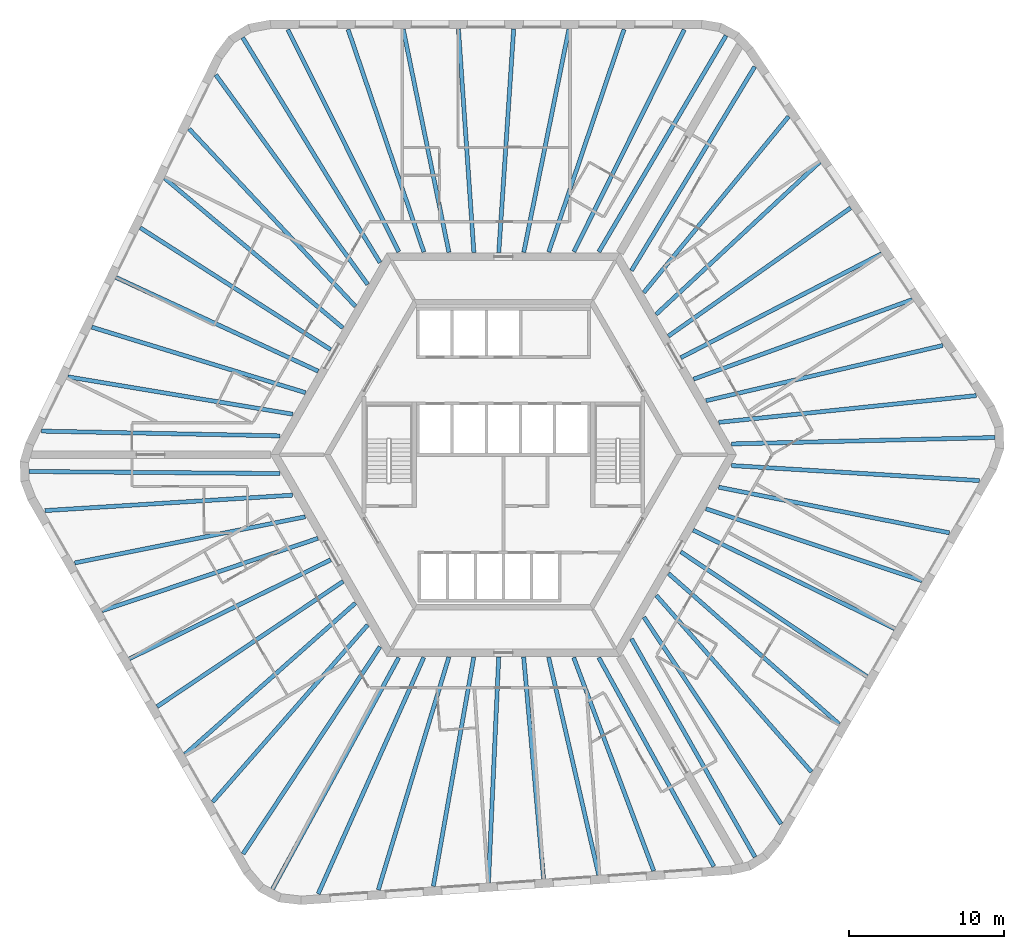
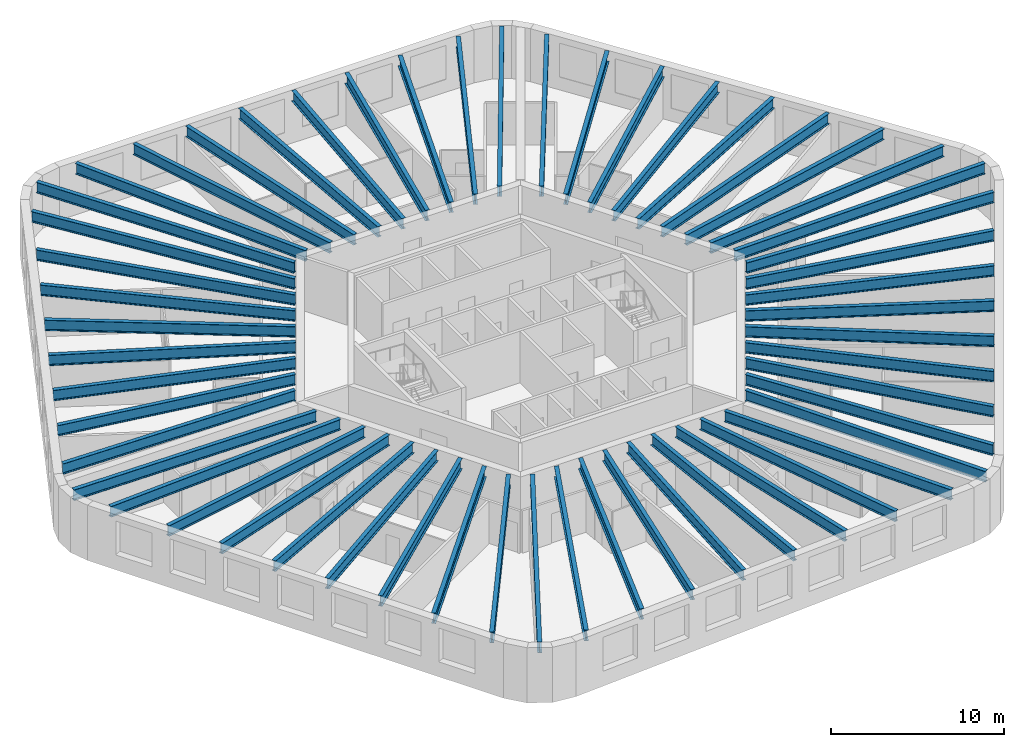
# One storey, part 1 of 10: 54 beams.
"""IFC4 building model written with IfcOpenShell, lengths in metres."""

from ifc_helpers import new_model, si_unit, direction, frame, origin, origin_2d, place, context, subcontext, project, spatial, i_section, extrude, material, material_profile, profile_set, type_object, element, save


model = new_model("IFC4")

# Units and contexts
model_context = context("Model", 3, precision=1e-05, world=origin(), true_north=direction((0.0, 1.0)))
body_context = subcontext(model_context, "Body", "Model", "MODEL_VIEW")
ifc_project = project(units=[si_unit("LENGTHUNIT", "METRE"), si_unit("AREAUNIT", "SQUARE_METRE"), si_unit("VOLUMEUNIT", "CUBIC_METRE"), si_unit("PLANEANGLEUNIT", "RADIAN"), si_unit("MASSUNIT", "GRAM", prefix="KILO")], contexts=[model_context])

# Site, building, storey
site_placement = place(None, origin())
site = spatial("IfcSite", under=ifc_project, at=site_placement, CompositionType="ELEMENT")
building_placement = place(site_placement, origin())
building = spatial("IfcBuilding", under=site, at=building_placement, Name="Tarnside Tower", CompositionType="ELEMENT")
storey_placement = place(building_placement, frame((0.0, 0.0, 203.39990234375)))
storey = spatial("IfcBuildingStorey", under=building, at=storey_placement, Name="L48", CompositionType="ELEMENT", Elevation=203.39990234375)

# Beams
ifc_material = material(Name="Steel S355", Category="steel")
ifc_material_profile_1 = material_profile(ifc_material, i_section(OverallWidth=0.26513671875, OverallDepth=0.75390625, WebThickness=0.0126953125, FlangeThickness=0.017578125, FilletRadius=0.0166015625, at=origin_2d()), Name="UB 762x267x147")
ifc_profile_set_1 = profile_set([ifc_material_profile_1], Name="Steel S355")
beam_type_1 = type_object("IfcBeamType", Name="Floor beam UB 762x267x147", PredefinedType="BEAM", material=ifc_profile_set_1)
beam_1_placement = place(storey_placement, frame((7.77001953125, 27.393310546875, 3.373046875), z_axis=(-0.320362579778, -0.947295000239, 0.0), x_axis=(0.947295000239, -0.320362579778, 0.0)))
element("IfcBeam", 1, at=beam_1_placement, inside=storey, type_object=beam_type_1, Name="Floor beam F1.02", PredefinedType="BEAM", context=body_context, shape_type="SweptSolid", body=[
    extrude(i_section(OverallWidth=0.26513671875, OverallDepth=0.75390625, WebThickness=0.0126953125, FlangeThickness=0.017578125, FilletRadius=0.0166015625, at=origin_2d()), origin(), (0.0, 0.0, 1.0), 15.134033203125),
])
beam_2_placement = place(storey_placement, frame((4.218505859375, 27.410888671875, 3.373046875), z_axis=(-0.19841777413, -0.980117537293, 0.0), x_axis=(0.980117537293, -0.19841777413, 0.0)))
element("IfcBeam", 2, at=beam_2_placement, inside=storey, type_object=beam_type_1, Name="Floor beam F1.03", PredefinedType="BEAM", context=body_context, shape_type="SweptSolid", body=[
    extrude(i_section(OverallWidth=0.26513671875, OverallDepth=0.75390625, WebThickness=0.0126953125, FlangeThickness=0.017578125, FilletRadius=0.0166015625, at=origin_2d()), origin(), (0.0, 0.0, 1.0), 14.6630859375),
])
beam_3_placement = place(storey_placement, frame((0.66259765625, 27.429931640625, 3.373046875), z_axis=(-0.066554914868, -0.997782763585, 0.0), x_axis=(0.997782763585, -0.066554914868, 0.0)))
element("IfcBeam", 3, at=beam_3_placement, inside=storey, type_object=beam_type_1, Name="Floor beam F1.04", PredefinedType="BEAM", context=body_context, shape_type="SweptSolid", body=[
    extrude(i_section(OverallWidth=0.26513671875, OverallDepth=0.75390625, WebThickness=0.0126953125, FlangeThickness=0.017578125, FilletRadius=0.0166015625, at=origin_2d()), origin(), (0.0, 0.0, 1.0), 14.44189453125),
])
beam_4_placement = place(storey_placement, frame((-2.8974609375, 27.429931640625, 3.373046875), z_axis=(0.068876921658, -0.997625164911, 0.0), x_axis=(0.997625164911, 0.068876921658, 0.0)))
element("IfcBeam", 4, at=beam_4_placement, inside=storey, type_object=beam_type_1, Name="Floor beam F1.05", PredefinedType="BEAM", context=body_context, shape_type="SweptSolid", body=[
    extrude(i_section(OverallWidth=0.26513671875, OverallDepth=0.75390625, WebThickness=0.0126953125, FlangeThickness=0.017578125, FilletRadius=0.0166015625, at=origin_2d()), origin(), (0.0, 0.0, 1.0), 14.4443359375),
])
beam_5_placement = place(storey_placement, frame((-6.45361328125, 27.410888671875, 3.373046875), z_axis=(0.200623497398, -0.979668419564, 0.0), x_axis=(0.979668419564, 0.200623497398, 0.0)))
element("IfcBeam", 5, at=beam_5_placement, inside=storey, type_object=beam_type_1, Name="Floor beam F1.06", PredefinedType="BEAM", context=body_context, shape_type="SweptSolid", body=[
    extrude(i_section(OverallWidth=0.26513671875, OverallDepth=0.75390625, WebThickness=0.0126953125, FlangeThickness=0.017578125, FilletRadius=0.0166015625, at=origin_2d()), origin(), (0.0, 0.0, 1.0), 14.669921875),
])
beam_6_placement = place(storey_placement, frame((-10.0048828125, 27.393310546875, 3.373046875), z_axis=(0.322343712034, -0.946622697442, 0.0), x_axis=(0.946622697442, 0.322343712034, 0.0)))
element("IfcBeam", 6, at=beam_6_placement, inside=storey, type_object=beam_type_1, Name="Floor beam F1.07", PredefinedType="BEAM", context=body_context, shape_type="SweptSolid", body=[
    extrude(i_section(OverallWidth=0.26513671875, OverallDepth=0.75390625, WebThickness=0.0126953125, FlangeThickness=0.017578125, FilletRadius=0.0166015625, at=origin_2d()), origin(), (0.0, 0.0, 1.0), 15.144775390625),
])
beam_7_placement = place(storey_placement, frame((-20.241455078125, 20.9892578125, 3.373046875), z_axis=(0.683752330283, -0.729714156936, 0.0), x_axis=(0.729714156936, 0.683752330283, 0.0)))
element("IfcBeam", 7, at=beam_7_placement, inside=storey, type_object=beam_type_1, Name="Floor beam F2.02", PredefinedType="BEAM", context=body_context, shape_type="SweptSolid", body=[
    extrude(i_section(OverallWidth=0.26513671875, OverallDepth=0.75390625, WebThickness=0.0126953125, FlangeThickness=0.017578125, FilletRadius=0.0166015625, at=origin_2d()), origin(), (0.0, 0.0, 1.0), 15.6591796875),
])
beam_8_placement = place(storey_placement, frame((-21.81396484375, 17.80419921875, 3.373046875), z_axis=(0.765948461073, -0.642901979294, 0.0), x_axis=(0.642901979294, 0.765948461073, 0.0)))
element("IfcBeam", 8, at=beam_8_placement, inside=storey, type_object=beam_type_1, Name="Floor beam F2.03", PredefinedType="BEAM", context=body_context, shape_type="SweptSolid", body=[
    extrude(i_section(OverallWidth=0.26513671875, OverallDepth=0.75390625, WebThickness=0.0126953125, FlangeThickness=0.017578125, FilletRadius=0.0166015625, at=origin_2d()), origin(), (0.0, 0.0, 1.0), 14.982177734375),
])
beam_9_placement = place(storey_placement, frame((-23.389892578125, 14.616455078125, 3.373046875), z_axis=(0.842378275633, -0.538886667808, 0.0), x_axis=(0.538886667808, 0.842378275633, 0.0)))
element("IfcBeam", 9, at=beam_9_placement, inside=storey, type_object=beam_type_1, Name="Floor beam F2.04", PredefinedType="BEAM", context=body_context, shape_type="SweptSolid", body=[
    extrude(i_section(OverallWidth=0.26513671875, OverallDepth=0.75390625, WebThickness=0.0126953125, FlangeThickness=0.017578125, FilletRadius=0.0166015625, at=origin_2d()), origin(), (0.0, 0.0, 1.0), 14.5595703125),
])
beam_10_placement = place(storey_placement, frame((-24.9501953125, 11.416748046875, 3.373046875), z_axis=(0.907310131748, -0.420462037321, 0.0), x_axis=(0.420462037321, 0.907310131748, 0.0)))
element("IfcBeam", 10, at=beam_10_placement, inside=storey, type_object=beam_type_1, Name="Floor beam F2.05", PredefinedType="BEAM", context=body_context, shape_type="SweptSolid", body=[
    extrude(i_section(OverallWidth=0.26513671875, OverallDepth=0.75390625, WebThickness=0.0126953125, FlangeThickness=0.017578125, FilletRadius=0.0166015625, at=origin_2d()), origin(), (0.0, 0.0, 1.0), 14.353515625),
])
beam_11_placement = place(storey_placement, frame((-26.510986328125, 8.2177734375, 3.373046875), z_axis=(0.956073348261, -0.293127536654, 0.0), x_axis=(0.293127536654, 0.956073348261, 0.0)))
element("IfcBeam", 11, at=beam_11_placement, inside=storey, type_object=beam_type_1, Name="Floor beam F2.06", PredefinedType="BEAM", context=body_context, shape_type="SweptSolid", body=[
    extrude(i_section(OverallWidth=0.26513671875, OverallDepth=0.75390625, WebThickness=0.0126953125, FlangeThickness=0.017578125, FilletRadius=0.0166015625, at=origin_2d()), origin(), (0.0, 0.0, 1.0), 14.3955078125),
])
beam_12_placement = place(storey_placement, frame((-28.0517578125, 5.015869140625, 3.373046875), z_axis=(0.986476498304, -0.163902770858, 0.0), x_axis=(0.163902770858, 0.986476498304, 0.0)))
element("IfcBeam", 12, at=beam_12_placement, inside=storey, type_object=beam_type_1, Name="Floor beam F2.07", PredefinedType="BEAM", context=body_context, shape_type="SweptSolid", body=[
    extrude(i_section(OverallWidth=0.26513671875, OverallDepth=0.75390625, WebThickness=0.0126953125, FlangeThickness=0.017578125, FilletRadius=0.0166015625, at=origin_2d()), origin(), (0.0, 0.0, 1.0), 14.680908203125),
])
beam_13_placement = place(storey_placement, frame((-29.73828125, 1.521484375, 3.373046875), z_axis=(0.999800142641, -0.019991867701, 0.0), x_axis=(0.019991867701, 0.999800142641, 0.0)))
element("IfcBeam", 13, at=beam_13_placement, inside=storey, type_object=beam_type_1, Name="Floor beam F2.08", PredefinedType="BEAM", context=body_context, shape_type="SweptSolid", body=[
    extrude(i_section(OverallWidth=0.26513671875, OverallDepth=0.75390625, WebThickness=0.0126953125, FlangeThickness=0.017578125, FilletRadius=0.0166015625, at=origin_2d()), origin(), (0.0, 0.0, 1.0), 15.3505859375),
])
beam_14_placement = place(storey_placement, frame((-27.608154296875, -6.967529296875, 3.373046875), z_axis=(0.980564540422, 0.196196794232, 0.0), x_axis=(-0.196196794232, 0.980564540422, 0.0)))
element("IfcBeam", 14, at=beam_14_placement, inside=storey, type_object=beam_type_1, Name="Floor beam F3.02", PredefinedType="BEAM", context=body_context, shape_type="SweptSolid", body=[
    extrude(i_section(OverallWidth=0.26513671875, OverallDepth=0.75390625, WebThickness=0.0126953125, FlangeThickness=0.017578125, FilletRadius=0.0166015625, at=origin_2d()), origin(), (0.0, 0.0, 1.0), 15.134033203125),
])
beam_15_placement = place(storey_placement, frame((-25.84765625, -10.052001953125, 3.373046875), z_axis=(0.948011835322, 0.31823507049, 0.0), x_axis=(-0.31823507049, 0.948011835322, 0.0)))
element("IfcBeam", 15, at=beam_15_placement, inside=storey, type_object=beam_type_1, Name="Floor beam F3.03", PredefinedType="BEAM", context=body_context, shape_type="SweptSolid", body=[
    extrude(i_section(OverallWidth=0.26513671875, OverallDepth=0.75390625, WebThickness=0.0126953125, FlangeThickness=0.017578125, FilletRadius=0.0166015625, at=origin_2d()), origin(), (0.0, 0.0, 1.0), 14.662841796875),
])
beam_16_placement = place(storey_placement, frame((-24.086181640625, -13.141357421875, 3.373046875), z_axis=(0.897375974806, 0.441266767206, 0.0), x_axis=(-0.441266767206, 0.897375974806, 0.0)))
element("IfcBeam", 16, at=beam_16_placement, inside=storey, type_object=beam_type_1, Name="Floor beam F3.04", PredefinedType="BEAM", context=body_context, shape_type="SweptSolid", body=[
    extrude(i_section(OverallWidth=0.26513671875, OverallDepth=0.75390625, WebThickness=0.0126953125, FlangeThickness=0.017578125, FilletRadius=0.0166015625, at=origin_2d()), origin(), (0.0, 0.0, 1.0), 14.442138671875),
])
beam_17_placement = place(storey_placement, frame((-22.306396484375, -16.224365234375, 3.373046875), z_axis=(0.829532486243, 0.558458462437, 0.0), x_axis=(-0.558458462437, 0.829532486243, 0.0)))
element("IfcBeam", 17, at=beam_17_placement, inside=storey, type_object=beam_type_1, Name="Floor beam F3.05", PredefinedType="BEAM", context=body_context, shape_type="SweptSolid", body=[
    extrude(i_section(OverallWidth=0.26513671875, OverallDepth=0.75390625, WebThickness=0.0126953125, FlangeThickness=0.017578125, FilletRadius=0.0166015625, at=origin_2d()), origin(), (0.0, 0.0, 1.0), 14.444580078125),
])
beam_18_placement = place(storey_placement, frame((-20.51171875, -19.294189453125, 3.373046875), z_axis=(0.74811408094, 0.663570133369, 0.0), x_axis=(-0.663570133369, 0.74811408094, 0.0)))
element("IfcBeam", 18, at=beam_18_placement, inside=storey, type_object=beam_type_1, Name="Floor beam F3.06", PredefinedType="BEAM", context=body_context, shape_type="SweptSolid", body=[
    extrude(i_section(OverallWidth=0.26513671875, OverallDepth=0.75390625, WebThickness=0.0126953125, FlangeThickness=0.017578125, FilletRadius=0.0166015625, at=origin_2d()), origin(), (0.0, 0.0, 1.0), 14.669677734375),
])
beam_19_placement = place(storey_placement, frame((-18.720703125, -22.361083984375, 3.373046875), z_axis=(0.658621010302, 0.752474826681, 0.0), x_axis=(-0.752474826681, 0.658621010302, 0.0)))
element("IfcBeam", 19, at=beam_19_placement, inside=storey, type_object=beam_type_1, Name="Floor beam F3.07", PredefinedType="BEAM", context=body_context, shape_type="SweptSolid", body=[
    extrude(i_section(OverallWidth=0.26513671875, OverallDepth=0.75390625, WebThickness=0.0126953125, FlangeThickness=0.017578125, FilletRadius=0.0166015625, at=origin_2d()), origin(), (0.0, 0.0, 1.0), 15.144775390625),
])
beam_20_placement = place(storey_placement, frame((-8.056396484375, -28.024169921875, 3.373046875), z_axis=(0.290070138838, 0.957005388989, 0.0), x_axis=(-0.957005388989, 0.290070138838, 0.0)))
element("IfcBeam", 20, at=beam_20_placement, inside=storey, type_object=beam_type_1, Name="Floor beam F4.02", PredefinedType="BEAM", context=body_context, shape_type="SweptSolid", body=[
    extrude(i_section(OverallWidth=0.26513671875, OverallDepth=0.75390625, WebThickness=0.0126953125, FlangeThickness=0.017578125, FilletRadius=0.0166015625, at=origin_2d()), origin(), (0.0, 0.0, 1.0), 15.6591796875),
])
beam_21_placement = place(storey_placement, frame((-4.511962890625, -27.793701171875, 3.373046875), z_axis=(0.173788122681, 0.984783066678, 0.0), x_axis=(-0.984783066678, 0.173788122681, 0.0)))
element("IfcBeam", 21, at=beam_21_placement, inside=storey, type_object=beam_type_1, Name="Floor beam F4.03", PredefinedType="BEAM", context=body_context, shape_type="SweptSolid", body=[
    extrude(i_section(OverallWidth=0.26513671875, OverallDepth=0.75390625, WebThickness=0.0126953125, FlangeThickness=0.017578125, FilletRadius=0.0166015625, at=origin_2d()), origin(), (0.0, 0.0, 1.0), 14.982421875),
])
beam_22_placement = place(storey_placement, frame((-0.96337890625, -27.564453125, 3.373046875), z_axis=(0.045509585226, 0.998963902077, 0.0), x_axis=(-0.998963902077, 0.045509585226, 0.0)))
element("IfcBeam", 22, at=beam_22_placement, inside=storey, type_object=beam_type_1, Name="Floor beam F4.04", PredefinedType="BEAM", context=body_context, shape_type="SweptSolid", body=[
    extrude(i_section(OverallWidth=0.26513671875, OverallDepth=0.75390625, WebThickness=0.0126953125, FlangeThickness=0.017578125, FilletRadius=0.0166015625, at=origin_2d()), origin(), (0.0, 0.0, 1.0), 14.5595703125),
])
beam_23_placement = place(storey_placement, frame((2.587890625, -27.31591796875, 3.373046875), z_axis=(-0.089518916897, 0.995985122137, 0.0), x_axis=(-0.995985122137, -0.089518916897, 0.0)))
element("IfcBeam", 23, at=beam_23_placement, inside=storey, type_object=beam_type_1, Name="Floor beam F4.05", PredefinedType="BEAM", context=body_context, shape_type="SweptSolid", body=[
    extrude(i_section(OverallWidth=0.26513671875, OverallDepth=0.75390625, WebThickness=0.0126953125, FlangeThickness=0.017578125, FilletRadius=0.0166015625, at=origin_2d()), origin(), (0.0, 0.0, 1.0), 14.353515625),
])
beam_24_placement = place(storey_placement, frame((6.138671875, -27.068115234375, 3.373046875), z_axis=(-0.224188122435, 0.974545886944, 0.0), x_axis=(-0.974545886944, -0.224188122435, 0.0)))
element("IfcBeam", 24, at=beam_24_placement, inside=storey, type_object=beam_type_1, Name="Floor beam F4.06", PredefinedType="BEAM", context=body_context, shape_type="SweptSolid", body=[
    extrude(i_section(OverallWidth=0.26513671875, OverallDepth=0.75390625, WebThickness=0.0126953125, FlangeThickness=0.017578125, FilletRadius=0.0166015625, at=origin_2d()), origin(), (0.0, 0.0, 1.0), 14.3955078125),
])
beam_25_placement = place(storey_placement, frame((9.681884765625, -26.801513671875, 3.373046875), z_axis=(-0.351271055087, 0.936273809234, 0.0), x_axis=(-0.936273809234, -0.351271055087, 0.0)))
element("IfcBeam", 25, at=beam_25_placement, inside=storey, type_object=beam_type_1, Name="Floor beam F4.07", PredefinedType="BEAM", context=body_context, shape_type="SweptSolid", body=[
    extrude(i_section(OverallWidth=0.26513671875, OverallDepth=0.75390625, WebThickness=0.0126953125, FlangeThickness=0.017578125, FilletRadius=0.0166015625, at=origin_2d()), origin(), (0.0, 0.0, 1.0), 14.680908203125),
])
beam_26_placement = place(storey_placement, frame((13.551513671875, -26.514892578125, 3.373046875), z_axis=(-0.482584088089, 0.875849643445, 0.0), x_axis=(-0.875849643445, -0.482584088089, 0.0)))
element("IfcBeam", 26, at=beam_26_placement, inside=storey, type_object=beam_type_1, Name="Floor beam F4.08", PredefinedType="BEAM", context=body_context, shape_type="SweptSolid", body=[
    extrude(i_section(OverallWidth=0.26513671875, OverallDepth=0.75390625, WebThickness=0.0126953125, FlangeThickness=0.017578125, FilletRadius=0.0166015625, at=origin_2d()), origin(), (0.0, 0.0, 1.0), 15.3505859375),
])
beam_27_placement = place(storey_placement, frame((19.838134765625, -20.425537109375, 3.373046875), z_axis=(-0.660201214512, 0.751088780609, 0.0), x_axis=(-0.751088780609, -0.660201214512, 0.0)))
element("IfcBeam", 27, at=beam_27_placement, inside=storey, type_object=beam_type_1, Name="Floor beam F5.02", PredefinedType="BEAM", context=body_context, shape_type="SweptSolid", body=[
    extrude(i_section(OverallWidth=0.26513671875, OverallDepth=0.75390625, WebThickness=0.0126953125, FlangeThickness=0.017578125, FilletRadius=0.0166015625, at=origin_2d()), origin(), (0.0, 0.0, 1.0), 15.134033203125),
])
beam_28_placement = place(storey_placement, frame((21.629150390625, -17.358642578125, 3.373046875), z_axis=(-0.749601662028, 0.661889226597, 0.0), x_axis=(-0.661889226597, -0.749601662028, 0.0)))
element("IfcBeam", 28, at=beam_28_placement, inside=storey, type_object=beam_type_1, Name="Floor beam F5.03", PredefinedType="BEAM", context=body_context, shape_type="SweptSolid", body=[
    extrude(i_section(OverallWidth=0.26513671875, OverallDepth=0.75390625, WebThickness=0.0126953125, FlangeThickness=0.017578125, FilletRadius=0.0166015625, at=origin_2d()), origin(), (0.0, 0.0, 1.0), 14.6630859375),
])
beam_29_placement = place(storey_placement, frame((23.423828125, -14.288818359375, 3.373046875), z_axis=(-0.830825943553, 0.556532345439, 0.0), x_axis=(-0.556532345439, -0.830825943553, 0.0)))
element("IfcBeam", 29, at=beam_29_placement, inside=storey, type_object=beam_type_1, Name="Floor beam F5.04", PredefinedType="BEAM", context=body_context, shape_type="SweptSolid", body=[
    extrude(i_section(OverallWidth=0.26513671875, OverallDepth=0.75390625, WebThickness=0.0126953125, FlangeThickness=0.017578125, FilletRadius=0.0166015625, at=origin_2d()), origin(), (0.0, 0.0, 1.0), 14.4423828125),
])
beam_30_placement = place(storey_placement, frame((25.203857421875, -11.205810546875, 3.373046875), z_axis=(-0.898407034897, 0.43916375038, 0.0), x_axis=(-0.43916375038, -0.898407034897, 0.0)))
element("IfcBeam", 30, at=beam_30_placement, inside=storey, type_object=beam_type_1, Name="Floor beam F5.05", PredefinedType="BEAM", context=body_context, shape_type="SweptSolid", body=[
    extrude(i_section(OverallWidth=0.26513671875, OverallDepth=0.75390625, WebThickness=0.0126953125, FlangeThickness=0.017578125, FilletRadius=0.0166015625, at=origin_2d()), origin(), (0.0, 0.0, 1.0), 14.444580078125),
])
beam_31_placement = place(storey_placement, frame((26.965087890625, -8.116455078125, 3.373046875), z_axis=(-0.948728223501, 0.31609295774, 0.0), x_axis=(-0.31609295774, -0.948728223501, 0.0)))
element("IfcBeam", 31, at=beam_31_placement, inside=storey, type_object=beam_type_1, Name="Floor beam F5.06", PredefinedType="BEAM", context=body_context, shape_type="SweptSolid", body=[
    extrude(i_section(OverallWidth=0.26513671875, OverallDepth=0.75390625, WebThickness=0.0126953125, FlangeThickness=0.017578125, FilletRadius=0.0166015625, at=origin_2d()), origin(), (0.0, 0.0, 1.0), 14.669677734375),
])
beam_32_placement = place(storey_placement, frame((28.7255859375, -5.031982421875, 3.373046875), z_axis=(-0.980974250646, 0.194137888034, 0.0), x_axis=(-0.194137888034, -0.980974250646, 0.0)))
element("IfcBeam", 32, at=beam_32_placement, inside=storey, type_object=beam_type_1, Name="Floor beam F5.07", PredefinedType="BEAM", context=body_context, shape_type="SweptSolid", body=[
    extrude(i_section(OverallWidth=0.26513671875, OverallDepth=0.75390625, WebThickness=0.0126953125, FlangeThickness=0.017578125, FilletRadius=0.0166015625, at=origin_2d()), origin(), (0.0, 0.0, 1.0), 15.144775390625),
])
beam_33_placement = place(storey_placement, frame((28.2978515625, 7.034912109375, 3.373046875), z_axis=(-0.973828212928, -0.227285309042, 0.0), x_axis=(0.227285309042, -0.973828212928, 0.0)))
element("IfcBeam", 33, at=beam_33_placement, inside=storey, type_object=beam_type_1, Name="Floor beam F6.02", PredefinedType="BEAM", context=body_context, shape_type="SweptSolid", body=[
    extrude(i_section(OverallWidth=0.26513671875, OverallDepth=0.75390625, WebThickness=0.0126953125, FlangeThickness=0.017578125, FilletRadius=0.0166015625, at=origin_2d()), origin(), (0.0, 0.0, 1.0), 15.6591796875),
])
beam_34_placement = place(storey_placement, frame((26.325927734375, 9.989501953125, 3.373046875), z_axis=(-0.939738697004, -0.341893523415, 0.0), x_axis=(0.341893523415, -0.939738697004, 0.0)))
element("IfcBeam", 34, at=beam_34_placement, inside=storey, type_object=beam_type_1, Name="Floor beam F6.03", PredefinedType="BEAM", context=body_context, shape_type="SweptSolid", body=[
    extrude(i_section(OverallWidth=0.26513671875, OverallDepth=0.75390625, WebThickness=0.0126953125, FlangeThickness=0.017578125, FilletRadius=0.0166015625, at=origin_2d()), origin(), (0.0, 0.0, 1.0), 14.982177734375),
])
beam_35_placement = place(storey_placement, frame((24.353271484375, 12.947998046875, 3.373046875), z_axis=(-0.887881646639, -0.460071930856, 0.0), x_axis=(0.460071930856, -0.887881646639, 0.0)))
element("IfcBeam", 35, at=beam_35_placement, inside=storey, type_object=beam_type_1, Name="Floor beam F6.04", PredefinedType="BEAM", context=body_context, shape_type="SweptSolid", body=[
    extrude(i_section(OverallWidth=0.26513671875, OverallDepth=0.75390625, WebThickness=0.0126953125, FlangeThickness=0.017578125, FilletRadius=0.0166015625, at=origin_2d()), origin(), (0.0, 0.0, 1.0), 14.5595703125),
])
beam_36_placement = place(storey_placement, frame((22.3623046875, 15.899169921875, 3.373046875), z_axis=(-0.817791001708, -0.575515314762, 0.0), x_axis=(0.575515314762, -0.817791001708, 0.0)))
element("IfcBeam", 36, at=beam_36_placement, inside=storey, type_object=beam_type_1, Name="Floor beam F6.05", PredefinedType="BEAM", context=body_context, shape_type="SweptSolid", body=[
    extrude(i_section(OverallWidth=0.26513671875, OverallDepth=0.75390625, WebThickness=0.0126953125, FlangeThickness=0.017578125, FilletRadius=0.0166015625, at=origin_2d()), origin(), (0.0, 0.0, 1.0), 14.353759765625),
])
beam_37_placement = place(storey_placement, frame((20.372314453125, 18.850341796875, 3.373046875), z_axis=(-0.731892224456, -0.681420407517, 0.0), x_axis=(0.681420407517, -0.731892224456, 0.0)))
element("IfcBeam", 37, at=beam_37_placement, inside=storey, type_object=beam_type_1, Name="Floor beam F6.06", PredefinedType="BEAM", context=body_context, shape_type="SweptSolid", body=[
    extrude(i_section(OverallWidth=0.26513671875, OverallDepth=0.75390625, WebThickness=0.0126953125, FlangeThickness=0.017578125, FilletRadius=0.0166015625, at=origin_2d()), origin(), (0.0, 0.0, 1.0), 14.3955078125),
])
beam_38_placement = place(storey_placement, frame((18.369873046875, 21.78564453125, 3.373046875), z_axis=(-0.635191827457, -0.772354414975, 0.0), x_axis=(0.772354414975, -0.635191827457, 0.0)))
element("IfcBeam", 38, at=beam_38_placement, inside=storey, type_object=beam_type_1, Name="Floor beam F6.07", PredefinedType="BEAM", context=body_context, shape_type="SweptSolid", body=[
    extrude(i_section(OverallWidth=0.26513671875, OverallDepth=0.75390625, WebThickness=0.0126953125, FlangeThickness=0.017578125, FilletRadius=0.0166015625, at=origin_2d()), origin(), (0.0, 0.0, 1.0), 14.680908203125),
])
beam_39_placement = place(storey_placement, frame((16.186767578125, 24.993408203125, 3.373046875), z_axis=(-0.517208605106, -0.855859368591, 0.0), x_axis=(0.855859368591, -0.517208605106, 0.0)))
element("IfcBeam", 39, at=beam_39_placement, inside=storey, type_object=beam_type_1, Name="Floor beam F6.08", PredefinedType="BEAM", context=body_context, shape_type="SweptSolid", body=[
    extrude(i_section(OverallWidth=0.26513671875, OverallDepth=0.75390625, WebThickness=0.0126953125, FlangeThickness=0.017578125, FilletRadius=0.0166015625, at=origin_2d()), origin(), (0.0, 0.0, 1.0), 15.3505859375),
])
ifc_material_profile_2 = material_profile(ifc_material, i_section(OverallWidth=0.2666015625, OverallDepth=0.76220703125, WebThickness=0.014404296875, FlangeThickness=0.021484375, FilletRadius=0.0166015625, at=origin_2d()), Name="UB 762x267x173")
ifc_profile_set_2 = profile_set([ifc_material_profile_2], Name="Steel S355")
beam_type_2 = type_object("IfcBeamType", Name="Floor beam UB 762x267x173", PredefinedType="BEAM", material=ifc_profile_set_2)
beam_40_placement = place(storey_placement, frame((11.6494140625, 27.37841796875, 3.368896484375), z_axis=(-0.445042310328, -0.895509543231, 0.0), x_axis=(0.895509543231, -0.445042310328, 0.0)))
element("IfcBeam", 40, at=beam_40_placement, inside=storey, type_object=beam_type_2, Name="Floor beam F1.01", PredefinedType="BEAM", context=body_context, shape_type="SweptSolid", body=[
    extrude(i_section(OverallWidth=0.2666015625, OverallDepth=0.76220703125, WebThickness=0.014404296875, FlangeThickness=0.021484375, FilletRadius=0.0166015625, at=origin_2d()), origin(), (0.0, 0.0, 1.0), 15.976318359375),
])
beam_41_placement = place(storey_placement, frame((-13.884521484375, 27.37841796875, 3.368896484375), z_axis=(0.44673108957, -0.894668281326, 0.0), x_axis=(0.894668281326, 0.44673108957, 0.0)))
element("IfcBeam", 41, at=beam_41_placement, inside=storey, type_object=beam_type_2, Name="Floor beam F1.08", PredefinedType="BEAM", context=body_context, shape_type="SweptSolid", body=[
    extrude(i_section(OverallWidth=0.2666015625, OverallDepth=0.76220703125, WebThickness=0.014404296875, FlangeThickness=0.021484375, FilletRadius=0.0166015625, at=origin_2d()), origin(), (0.0, 0.0, 1.0), 15.9912109375),
])
beam_42_placement = place(storey_placement, frame((-16.79345703125, 26.86962890625, 3.368896484375), z_axis=(0.520940467881, -0.853593011291, 0.0), x_axis=(0.853593011291, 0.520940467881, 0.0)))
element("IfcBeam", 42, at=beam_42_placement, inside=storey, type_object=beam_type_2, Name="Floor beam C1", PredefinedType="BEAM", context=body_context, shape_type="SweptSolid", body=[
    extrude(i_section(OverallWidth=0.2666015625, OverallDepth=0.76220703125, WebThickness=0.014404296875, FlangeThickness=0.021484375, FilletRadius=0.0166015625, at=origin_2d()), origin(), (0.0, 0.0, 1.0), 16.980712890625),
])
beam_43_placement = place(storey_placement, frame((-18.52685546875, 24.471435546875, 3.368896484375), z_axis=(0.586791943415, -0.80973774467, 0.0), x_axis=(0.80973774467, 0.586791943415, 0.0)))
element("IfcBeam", 43, at=beam_43_placement, inside=storey, type_object=beam_type_2, Name="Floor beam F2.01", PredefinedType="BEAM", context=body_context, shape_type="SweptSolid", body=[
    extrude(i_section(OverallWidth=0.2666015625, OverallDepth=0.76220703125, WebThickness=0.014404296875, FlangeThickness=0.021484375, FilletRadius=0.0166015625, at=origin_2d()), origin(), (0.0, 0.0, 1.0), 16.67578125),
])
beam_44_placement = place(storey_placement, frame((-30.543212890625, -1.079345703125, 3.368896484375), z_axis=(0.999966072652, -0.008237326324, 0.0), x_axis=(0.008237326324, 0.999966072652, 0.0)))
element("IfcBeam", 44, at=beam_44_placement, inside=storey, type_object=beam_type_2, Name="Floor beam C2", PredefinedType="BEAM", context=body_context, shape_type="SweptSolid", body=[
    extrude(i_section(OverallWidth=0.2666015625, OverallDepth=0.76220703125, WebThickness=0.014404296875, FlangeThickness=0.021484375, FilletRadius=0.0166015625, at=origin_2d()), origin(), (0.0, 0.0, 1.0), 16.15283203125),
])
beam_45_placement = place(storey_placement, frame((-29.534912109375, -3.6005859375, 3.368896484375), z_axis=(0.99805531279, 0.062334521832, 0.0), x_axis=(-0.062334521832, 0.99805531279, 0.0)))
element("IfcBeam", 45, at=beam_45_placement, inside=storey, type_object=beam_type_2, Name="Floor beam F3.01", PredefinedType="BEAM", context=body_context, shape_type="SweptSolid", body=[
    extrude(i_section(OverallWidth=0.2666015625, OverallDepth=0.76220703125, WebThickness=0.014404296875, FlangeThickness=0.021484375, FilletRadius=0.0166015625, at=origin_2d()), origin(), (0.0, 0.0, 1.0), 15.975830078125),
])
beam_46_placement = place(storey_placement, frame((-16.768310546875, -25.71337890625, 3.368896484375), z_axis=(0.551447600123, 0.834209532623, 0.0), x_axis=(-0.834209532623, 0.551447600123, 0.0)))
element("IfcBeam", 46, at=beam_46_placement, inside=storey, type_object=beam_type_2, Name="Floor beam F3.08", PredefinedType="BEAM", context=body_context, shape_type="SweptSolid", body=[
    extrude(i_section(OverallWidth=0.2666015625, OverallDepth=0.76220703125, WebThickness=0.014404296875, FlangeThickness=0.021484375, FilletRadius=0.0166015625, at=origin_2d()), origin(), (0.0, 0.0, 1.0), 15.9912109375),
])
beam_47_placement = place(storey_placement, frame((-14.873046875, -27.978515625, 3.368896484375), z_axis=(0.478767512404, 0.877941723047, 0.0), x_axis=(-0.877941723047, 0.478767512404, 0.0)))
element("IfcBeam", 47, at=beam_47_placement, inside=storey, type_object=beam_type_2, Name="Floor beam C3", PredefinedType="BEAM", context=body_context, shape_type="SweptSolid", body=[
    extrude(i_section(OverallWidth=0.2666015625, OverallDepth=0.76220703125, WebThickness=0.014404296875, FlangeThickness=0.021484375, FilletRadius=0.0166015625, at=origin_2d()), origin(), (0.0, 0.0, 1.0), 16.98095703125),
])
beam_48_placement = place(storey_placement, frame((-11.929443359375, -28.280517578125, 3.368896484375), z_axis=(0.407852035629, 0.913048036542, 0.0), x_axis=(-0.913048036542, 0.407852035629, 0.0)))
element("IfcBeam", 48, at=beam_48_placement, inside=storey, type_object=beam_type_2, Name="Floor beam F4.01", PredefinedType="BEAM", context=body_context, shape_type="SweptSolid", body=[
    extrude(i_section(OverallWidth=0.2666015625, OverallDepth=0.76220703125, WebThickness=0.014404296875, FlangeThickness=0.021484375, FilletRadius=0.0166015625, at=origin_2d()), origin(), (0.0, 0.0, 1.0), 16.67578125),
])
beam_49_placement = place(storey_placement, frame((16.206298828125, -25.91162109375, 3.368896484375), z_axis=(-0.492847437034, 0.870115741616, 0.0), x_axis=(-0.870115741616, -0.492847437034, 0.0)))
element("IfcBeam", 49, at=beam_49_placement, inside=storey, type_object=beam_type_2, Name="Floor beam C4", PredefinedType="BEAM", context=body_context, shape_type="SweptSolid", body=[
    extrude(i_section(OverallWidth=0.2666015625, OverallDepth=0.76220703125, WebThickness=0.014404296875, FlangeThickness=0.021484375, FilletRadius=0.0166015625, at=origin_2d()), origin(), (0.0, 0.0, 1.0), 16.15283203125),
])
beam_50_placement = place(storey_placement, frame((17.8857421875, -23.77783203125, 3.368896484375), z_axis=(-0.553013371197, 0.833172377889, 0.0), x_axis=(-0.833172377889, -0.553013371197, 0.0)))
element("IfcBeam", 50, at=beam_50_placement, inside=storey, type_object=beam_type_2, Name="Floor beam F5.01", PredefinedType="BEAM", context=body_context, shape_type="SweptSolid", body=[
    extrude(i_section(OverallWidth=0.2666015625, OverallDepth=0.76220703125, WebThickness=0.014404296875, FlangeThickness=0.021484375, FilletRadius=0.0166015625, at=origin_2d()), origin(), (0.0, 0.0, 1.0), 15.97607421875),
])
beam_51_placement = place(storey_placement, frame((30.652587890625, -1.6650390625, 3.368896484375), z_axis=(-0.998170730858, 0.060458184371, 0.0), x_axis=(-0.060458184371, -0.998170730858, 0.0)))
element("IfcBeam", 51, at=beam_51_placement, inside=storey, type_object=beam_type_2, Name="Floor beam F5.08", PredefinedType="BEAM", context=body_context, shape_type="SweptSolid", body=[
    extrude(i_section(OverallWidth=0.2666015625, OverallDepth=0.76220703125, WebThickness=0.014404296875, FlangeThickness=0.021484375, FilletRadius=0.0166015625, at=origin_2d()), origin(), (0.0, 0.0, 1.0), 15.9912109375),
])
beam_52_placement = place(storey_placement, frame((31.66650390625, 1.108642578125, 3.368896484375), z_axis=(-0.999703706976, -0.024341287118, 0.0), x_axis=(0.024341287118, -0.999703706976, 0.0)))
element("IfcBeam", 52, at=beam_52_placement, inside=storey, type_object=beam_type_2, Name="Floor beam C5", PredefinedType="BEAM", context=body_context, shape_type="SweptSolid", body=[
    extrude(i_section(OverallWidth=0.2666015625, OverallDepth=0.76220703125, WebThickness=0.014404296875, FlangeThickness=0.021484375, FilletRadius=0.0166015625, at=origin_2d()), origin(), (0.0, 0.0, 1.0), 16.980712890625),
])
beam_53_placement = place(storey_placement, frame((30.456298828125, 3.80908203125, 3.368896484375), z_axis=(-0.994648352349, -0.103318222829, 0.0), x_axis=(0.103318222829, -0.994648352349, 0.0)))
element("IfcBeam", 53, at=beam_53_placement, inside=storey, type_object=beam_type_2, Name="Floor beam F6.01", PredefinedType="BEAM", context=body_context, shape_type="SweptSolid", body=[
    extrude(i_section(OverallWidth=0.2666015625, OverallDepth=0.76220703125, WebThickness=0.014404296875, FlangeThickness=0.021484375, FilletRadius=0.0166015625, at=origin_2d()), origin(), (0.0, 0.0, 1.0), 16.67578125),
])
beam_54_placement = place(storey_placement, frame((14.3369140625, 26.990966796875, 3.368896484375), z_axis=(-0.507115238706, -0.861878259775, 0.0), x_axis=(0.861878259775, -0.507115238706, 0.0)))
element("IfcBeam", 54, at=beam_54_placement, inside=storey, type_object=beam_type_2, Name="Floor beam C6", PredefinedType="BEAM", context=body_context, shape_type="SweptSolid", body=[
    extrude(i_section(OverallWidth=0.2666015625, OverallDepth=0.76220703125, WebThickness=0.014404296875, FlangeThickness=0.021484375, FilletRadius=0.0166015625, at=origin_2d()), origin(), (0.0, 0.0, 1.0), 16.15283203125),
])

save(model, "model.ifc")
